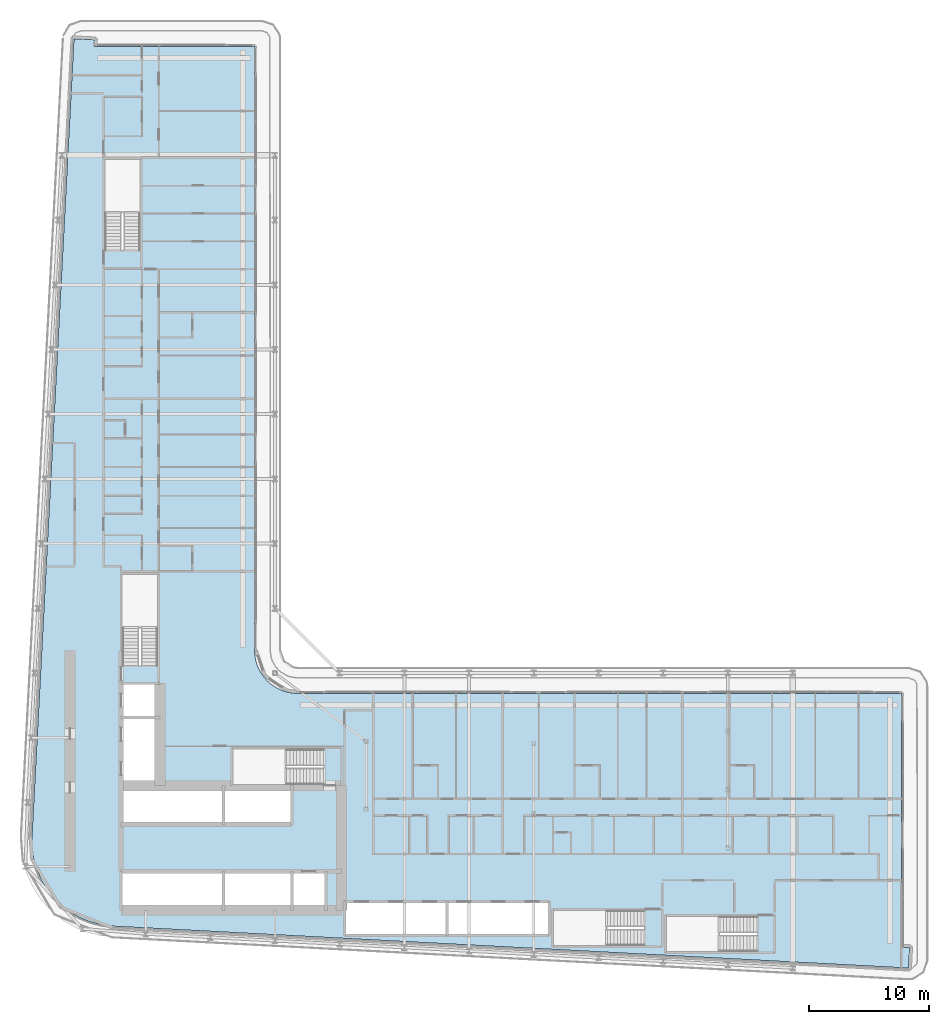
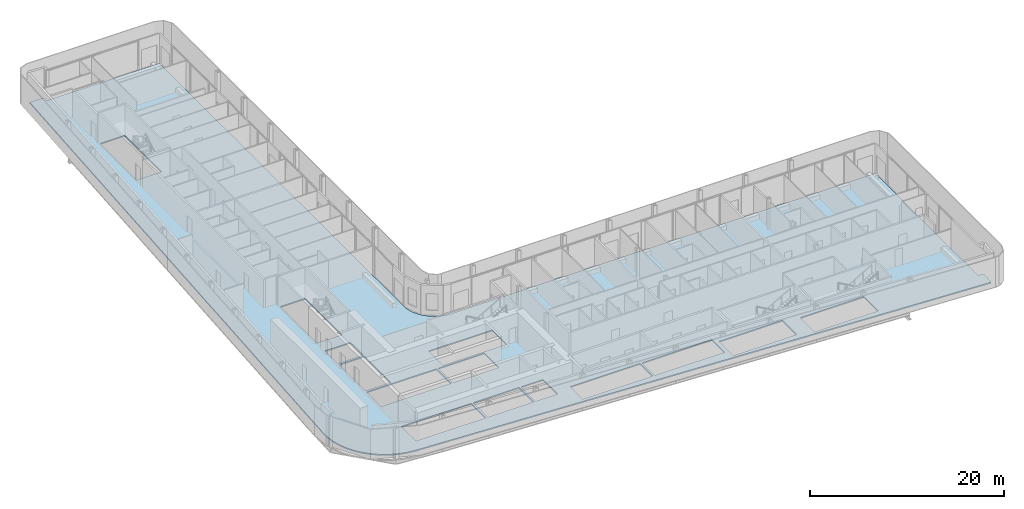
# One storey, part 11 of 29: 1 slab.
"""IFC4 building model written with IfcOpenShell, lengths in metres."""

import ifcopenshell
import ifcopenshell.guid

model = None  # the IFC model being written
_history = None  # IfcOwnerHistory: only IFC2X3 demands one
_inside = {}  # id of a spatial element -> (the spatial element, [elements in it])
_under = {}  # id of a project, library or spatial element -> (it, [spatial elements below it])
_declared = {}  # id of a project -> (the project, [libraries it declares])
_typed = {}  # id of a type object -> (the type object, [elements of that type])
_made_of = {}  # id of a material, layer set ... -> (it, [elements and type objects made of it])


def new_model(schema):
    """Start an empty IFC model of exactly this schema.

    Asked for "IFC4X3", IfcOpenShell would pick the latest addendum, in which some entities
    have other attributes; the version numbers below select the first issue.
    IFC2X3 requires an IfcOwnerHistory on every rooted entity: one is made here for all.
    """
    global model, _history
    if schema == "IFC4X3":
        model = ifcopenshell.file(schema_version=(4, 3, 0, 0))
    else:
        model = ifcopenshell.file(schema=schema)
    _inside.clear()
    _under.clear()
    _declared.clear()
    _typed.clear()
    _made_of.clear()
    _history = None
    if model.schema == "IFC2X3":
        org = make("IfcOrganization", Name="unknown")
        user = make(
            "IfcPersonAndOrganization",
            ThePerson=make("IfcPerson", FamilyName="unknown"),
            TheOrganization=org,
        )
        app = make(
            "IfcApplication",
            ApplicationDeveloper=org,
            Version="unknown",
            ApplicationFullName="unknown",
            ApplicationIdentifier="unknown",
        )
        _history = make(
            "IfcOwnerHistory",
            OwningUser=user,
            OwningApplication=app,
            ChangeAction="ADDED",
            CreationDate=0,
        )
    return model


def make(cls, **values):
    """One entity of the class cls with the attributes given. An attribute that is None is left unset."""
    return model.create_entity(
        cls, **{name: value for name, value in values.items() if value is not None}
    )


def rooted(cls, **values):
    """An entity with a GlobalId (a new one), such as an element, a storey or a relation."""
    return make(cls, GlobalId=ifcopenshell.guid.new(), OwnerHistory=_history, **values)


def si_unit(unit_type, name, prefix=None):
    """IfcSIUnit, for example si_unit("LENGTHUNIT", "METRE", prefix="MILLI")."""
    return make("IfcSIUnit", UnitType=unit_type, Prefix=prefix, Name=name)


def assignment(units):
    """IfcUnitAssignment: the units of a project."""
    return None if units is None else make("IfcUnitAssignment", Units=units)


def point(xyz):
    """IfcCartesianPoint."""
    return None if xyz is None else make("IfcCartesianPoint", Coordinates=xyz)


def direction(xyz):
    """IfcDirection."""
    return None if xyz is None else make("IfcDirection", DirectionRatios=xyz)


def frame(location, z_axis=None, x_axis=None):
    """IfcAxis2Placement3D, a coordinate frame: its origin and axes. An axis left out is left unset."""
    return make(
        "IfcAxis2Placement3D",
        Location=point(location),
        Axis=direction(z_axis),
        RefDirection=direction(x_axis),
    )


def origin():
    """The frame at (0, 0, 0) with its axes left unset."""
    return frame((0.0, 0.0, 0.0))


def place(relative_to, where):
    """IfcLocalPlacement: puts the frame where relative to a parent placement (None: the world)."""
    return make(
        "IfcLocalPlacement", PlacementRelTo=relative_to, RelativePlacement=where
    )


def context(
    kind, dimensions, precision=None, world=None, true_north=None, identifier=None
):
    """IfcGeometricRepresentationContext, for example the 3D "Model" context."""
    return make(
        "IfcGeometricRepresentationContext",
        ContextIdentifier=identifier,
        ContextType=kind,
        CoordinateSpaceDimension=dimensions,
        Precision=precision,
        WorldCoordinateSystem=world,
        TrueNorth=true_north,
    )


def subcontext(parent, identifier, kind, view, scale=None):
    """IfcGeometricRepresentationSubContext, for example "Body" below "Model"."""
    return make(
        "IfcGeometricRepresentationSubContext",
        ContextIdentifier=identifier,
        ContextType=kind,
        ParentContext=parent,
        TargetScale=scale,
        TargetView=view,
    )


def project(units=None, contexts=None):
    """IfcProject with its units and contexts."""
    return rooted(
        "IfcProject",
        Name="project",
        RepresentationContexts=contexts,
        UnitsInContext=assignment(units),
    )


def spatial(cls, under=None, at=None, **own):
    """A site, building, storey or space (cls), placed at a placement, below another one or the project."""
    s = rooted(cls, ObjectPlacement=at, **own)
    if under is not None:
        _under.setdefault(under.id(), (under, []))[1].append(s)
    return s


def polyline(points):
    """IfcPolyline through the points."""
    return make("IfcPolyline", Points=[point(p) for p in points])


def outline(outer, holes=None, kind="AREA"):
    """IfcArbitraryClosedProfileDef: a profile drawn as a closed curve; with holes, ...WithVoids."""
    if holes is None:
        return make("IfcArbitraryClosedProfileDef", ProfileType=kind, OuterCurve=outer)
    return make(
        "IfcArbitraryProfileDefWithVoids",
        ProfileType=kind,
        OuterCurve=outer,
        InnerCurves=holes,
    )


def extrude(swept, where, along, depth):
    """IfcExtrudedAreaSolid: the profile swept, set in the frame where, extruded along a direction by depth."""
    return make(
        "IfcExtrudedAreaSolid",
        SweptArea=swept,
        Position=where,
        ExtrudedDirection=direction(along),
        Depth=depth,
    )


def shape(context_of_items, identifier, shape_type, items):
    """IfcShapeRepresentation: the items that make up one representation, for example the "Body"."""
    return make(
        "IfcShapeRepresentation",
        ContextOfItems=context_of_items,
        RepresentationIdentifier=identifier,
        RepresentationType=shape_type,
        Items=items,
    )


def material(Name=None, Category=None):
    """IfcMaterial."""
    return make("IfcMaterial", Name=Name, Category=Category)


def layer(
    of_material, thickness, ventilated=None, Name=None, Category=None, Priority=None
):
    """IfcMaterialLayer: one layer of a wall or slab, of a material (None: an air gap)."""
    return make(
        "IfcMaterialLayer",
        Material=of_material,
        LayerThickness=thickness,
        IsVentilated=ventilated,
        Name=Name,
        Category=Category,
        Priority=Priority,
    )


def layer_set(layers, Name=None):
    """IfcMaterialLayerSet."""
    return make("IfcMaterialLayerSet", MaterialLayers=layers, LayerSetName=Name)


def made_of(thing, what):
    """Note that an element or type object is made of a material, layer set ...; save() writes the relation."""
    if what is not None:
        _made_of.setdefault(what.id(), (what, []))[1].append(thing)
    return thing


def type_object(cls, material=None, **own):
    """A type object (cls), such as IfcWallType, which elements share."""
    return made_of(rooted(cls, **own), material)


def element(
    cls,
    number,
    at=None,
    inside=None,
    cuts=None,
    type_object=None,
    material=None,
    context=None,
    identifier="Body",
    shape_type=None,
    held_by="IfcProductDefinitionShape",
    body=None,
    shapes=None,
    **own,
):
    """One element of the class cls, such as IfcWall. Its Tag is "e" and its number.

    at: its placement. inside: the storey or other place that contains it. cuts: it is an
    opening in that element (IfcRelVoidsElement). A single representation is given by context,
    identifier, shape_type and body (its items); several are given by shapes. held_by: the class
    of the entity that holds the representations. save() writes the other relations.
    """
    e = rooted(cls, Tag="e%d" % number, ObjectPlacement=at, **own)
    if body is not None:
        shapes = [shape(context, identifier, shape_type, body)]
    if shapes is not None:
        e.Representation = make(held_by, Representations=shapes)
    if inside is not None:
        _inside.setdefault(inside.id(), (inside, []))[1].append(e)
    if cuts is not None:
        rooted(
            "IfcRelVoidsElement", RelatingBuildingElement=cuts, RelatedOpeningElement=e
        )
    if type_object is not None:
        _typed.setdefault(type_object.id(), (type_object, []))[1].append(e)
    return made_of(e, material)


def aggregate(whole, parts):
    """IfcRelAggregates: a whole, such as a stair, and the parts it consists of."""
    return rooted("IfcRelAggregates", RelatingObject=whole, RelatedObjects=parts)


def save(model, path):
    """Write the relations noted so far, then the file.

    IfcRelAggregates (storeys below a building ...), IfcRelContainedInSpatialStructure (elements
    in a storey), IfcRelDefinesByType, IfcRelAssociatesMaterial and IfcRelDeclares: one each for
    every whole, place, type object, material and project.
    """
    for whole, parts in _under.values():
        aggregate(whole, parts)
    for where, things in _inside.values():
        rooted(
            "IfcRelContainedInSpatialStructure",
            RelatedElements=things,
            RelatingStructure=where,
        )
    for kind, things in _typed.values():
        rooted("IfcRelDefinesByType", RelatedObjects=things, RelatingType=kind)
    for what, things in _made_of.values():
        rooted("IfcRelAssociatesMaterial", RelatedObjects=things, RelatingMaterial=what)
    for by, libraries in _declared.values():
        rooted("IfcRelDeclares", RelatingContext=by, RelatedDefinitions=libraries)
    model.write(path)


model = new_model("IFC4")

# Units and contexts
model_context = context("Model", 3, precision=1e-05, world=origin(), true_north=direction((0.0, 1.0)))
body_context = subcontext(model_context, "Body", "Model", "MODEL_VIEW")
ifc_project = project(units=[si_unit("LENGTHUNIT", "METRE"), si_unit("AREAUNIT", "SQUARE_METRE"), si_unit("VOLUMEUNIT", "CUBIC_METRE"), si_unit("PLANEANGLEUNIT", "RADIAN"), si_unit("MASSUNIT", "GRAM", prefix="KILO")], contexts=[model_context])

# Site, building, storey
site_placement = place(None, origin())
site = spatial("IfcSite", under=ifc_project, at=site_placement, CompositionType="ELEMENT")
building_placement = place(site_placement, origin())
building = spatial("IfcBuilding", under=site, at=building_placement, Name="Kheshtan School and Residences Tower", CompositionType="ELEMENT")
storey_placement = place(building_placement, frame((0.0, 0.0, 121.39990234375)))
storey = spatial("IfcBuildingStorey", under=building, at=storey_placement, Name="L28", CompositionType="ELEMENT", Elevation=121.39990234375)

# Slab
ifc_material = material(Name="Concrete C40/50", Category="concrete")
ifc_layer = layer(ifc_material, 0.14990234375)
ifc_layer_set = layer_set([ifc_layer], Name="Floor slab 150 Concrete C40/50")
slab_type = type_object("IfcSlabType", Name="Floor slab 150 Concrete C40/50", PredefinedType="FLOOR", material=ifc_layer_set)
slab_placement = place(storey_placement, frame((0.0, 0.0, -0.14990234375)))
element("IfcSlab", 1, at=slab_placement, inside=storey, type_object=slab_type, Name="Floor slab L28", PredefinedType="FLOOR", context=body_context, shape_type="SweptSolid", body=[
    extrude(outline(polyline([(27.718017578125, 29.200927734375), (27.466064453125, 30.093017578125), (27.466064453125, 30.093994140625), (27.3330078125, 31.013916015625), (27.320068359375, 31.965087890625), (27.320068359375, 31.970947265625), (30.822021484375, 98.5009765625), (30.822998046875, 98.508056640625), (30.825927734375, 98.531005859375), (30.825927734375, 98.531982421875), (30.826904296875, 98.531982421875), (31.422119140625, 98.5), (31.423095703125, 98.5), (31.423095703125, 98.4990234375), (31.423095703125, 98.4951171875), (31.423095703125, 98.493896484375), (31.424072265625, 98.493896484375), (31.424072265625, 98.492919921875), (31.425048828125, 98.492919921875), (31.426025390625, 98.492919921875), (31.426025390625, 98.493896484375), (31.427978515625, 98.49609375), (31.428955078125, 98.4970703125), (31.429931640625, 98.498046875), (31.430908203125, 98.498046875), (31.430908203125, 98.4990234375), (31.431884765625, 98.4990234375), (31.431884765625, 98.5), (31.43505859375, 98.5009765625), (31.43603515625, 98.501953125), (31.43896484375, 98.501953125), (31.43994140625, 98.501953125), (31.43994140625, 98.5029296875), (31.44091796875, 98.5029296875), (31.446044921875, 98.5029296875), (32.5009765625, 98.447021484375), (32.50390625, 98.447021484375), (32.5048828125, 98.447021484375), (32.5048828125, 98.446044921875), (32.506103515625, 98.446044921875), (32.510009765625, 98.446044921875), (32.510009765625, 98.445068359375), (32.510986328125, 98.445068359375), (32.510986328125, 98.444091796875), (32.511962890625, 98.444091796875), (32.511962890625, 98.443115234375), (32.512939453125, 98.443115234375), (32.513916015625, 98.443115234375), (32.513916015625, 98.44189453125), (32.514892578125, 98.44189453125), (32.51611328125, 98.44189453125), (32.51904296875, 98.43896484375), (32.51904296875, 98.43798828125), (32.51904296875, 98.43701171875), (32.52001953125, 98.43701171875), (32.52001953125, 98.43603515625), (32.52099609375, 98.43603515625), (32.52099609375, 98.43408203125), (32.52099609375, 98.43310546875), (32.52197265625, 98.43310546875), (32.52197265625, 98.431884765625), (32.52294921875, 98.431884765625), (32.52294921875, 98.430908203125), (32.52294921875, 98.428955078125), (32.52294921875, 98.427978515625), (32.52392578125, 98.427978515625), (32.52392578125, 98.427001953125), (32.52392578125, 98.422119140625), (32.4970703125, 97.9208984375), (32.4970703125, 97.91796875), (32.4970703125, 97.9169921875), (32.49609375, 97.9169921875), (32.49609375, 97.916015625), (32.49609375, 97.912109375), (32.4951171875, 97.910888671875), (32.4951171875, 97.909912109375), (32.493896484375, 97.909912109375), (32.493896484375, 97.908935546875), (32.492919921875, 97.908935546875), (32.492919921875, 97.907958984375), (32.489013671875, 97.904052734375), (32.488037109375, 97.904052734375), (32.488037109375, 97.903076171875), (32.488037109375, 97.902099609375), (32.488037109375, 97.90087890625), (32.489013671875, 97.90087890625), (32.489013671875, 97.89990234375), (32.489990234375, 97.89990234375), (45.85498046875, 97.89990234375), (45.864990234375, 97.89794921875), (45.865966796875, 97.89794921875), (45.868896484375, 97.89599609375), (45.8740234375, 97.89404296875), (45.8779296875, 97.89208984375), (45.881103515625, 97.889892578125), (45.881103515625, 97.888916015625), (45.882080078125, 97.888916015625), (45.882080078125, 97.887939453125), (45.883056640625, 97.887939453125), (45.884033203125, 97.885009765625), (45.885009765625, 97.885009765625), (45.885009765625, 97.884033203125), (45.887939453125, 97.883056640625), (45.887939453125, 97.882080078125), (45.888916015625, 97.882080078125), (45.888916015625, 97.881103515625), (45.889892578125, 97.881103515625), (45.89208984375, 97.8779296875), (45.89404296875, 97.8740234375), (45.89599609375, 97.868896484375), (45.89794921875, 97.865966796875), (45.89794921875, 97.864990234375), (45.89990234375, 97.85498046875), (45.89990234375, 47.429931640625), (45.927001953125, 47.030029296875), (46.01806640625, 46.570068359375), (46.01806640625, 46.569091796875), (46.169921875, 46.1201171875), (46.37890625, 45.697021484375), (46.638916015625, 45.30810546875), (46.949951171875, 44.950927734375), (46.950927734375, 44.949951171875), (47.30810546875, 44.638916015625), (47.697021484375, 44.37890625), (48.1201171875, 44.169921875), (48.569091796875, 44.01806640625), (48.570068359375, 44.01806640625), (49.030029296875, 43.927001953125), (49.429931640625, 43.89990234375), (99.85498046875, 43.89990234375), (99.864990234375, 43.89794921875), (99.865966796875, 43.89794921875), (99.868896484375, 43.89599609375), (99.8740234375, 43.89404296875), (99.8779296875, 43.89208984375), (99.881103515625, 43.889892578125), (99.881103515625, 43.888916015625), (99.882080078125, 43.888916015625), (99.882080078125, 43.887939453125), (99.883056640625, 43.887939453125), (99.884033203125, 43.885009765625), (99.885009765625, 43.885009765625), (99.885009765625, 43.884033203125), (99.887939453125, 43.883056640625), (99.887939453125, 43.882080078125), (99.888916015625, 43.882080078125), (99.888916015625, 43.881103515625), (99.889892578125, 43.881103515625), (99.89208984375, 43.8779296875), (99.89404296875, 43.8740234375), (99.89599609375, 43.868896484375), (99.89794921875, 43.865966796875), (99.89794921875, 43.864990234375), (99.89990234375, 43.85498046875), (99.89990234375, 22.708984375), (99.89990234375, 22.7080078125), (99.90087890625, 22.7080078125), (99.90087890625, 22.70703125), (99.902099609375, 22.70703125), (99.903076171875, 22.70703125), (99.903076171875, 22.7080078125), (99.905029296875, 22.7099609375), (99.906982421875, 22.7119140625), (99.907958984375, 22.7119140625), (99.907958984375, 22.712890625), (99.908935546875, 22.712890625), (99.908935546875, 22.714111328125), (99.909912109375, 22.714111328125), (99.912109375, 22.715087890625), (99.9130859375, 22.716064453125), (99.916015625, 22.716064453125), (99.9169921875, 22.716064453125), (99.9169921875, 22.717041015625), (99.91796875, 22.717041015625), (99.923095703125, 22.717041015625), (100.5380859375, 22.68408203125), (100.541015625, 22.68408203125), (100.5419921875, 22.68408203125), (100.5419921875, 22.68310546875), (100.54296875, 22.68310546875), (100.547119140625, 22.68310546875), (100.547119140625, 22.681884765625), (100.548095703125, 22.681884765625), (100.548095703125, 22.680908203125), (100.549072265625, 22.680908203125), (100.549072265625, 22.679931640625), (100.550048828125, 22.679931640625), (100.551025390625, 22.679931640625), (100.551025390625, 22.678955078125), (100.552001953125, 22.678955078125), (100.552978515625, 22.678955078125), (100.552978515625, 22.677978515625), (100.554931640625, 22.676025390625), (100.555908203125, 22.676025390625), (100.555908203125, 22.675048828125), (100.555908203125, 22.674072265625), (100.556884765625, 22.674072265625), (100.556884765625, 22.673095703125), (100.55810546875, 22.673095703125), (100.55810546875, 22.6708984375), (100.55810546875, 22.669921875), (100.55908203125, 22.669921875), (100.55908203125, 22.6689453125), (100.56005859375, 22.6689453125), (100.56005859375, 22.66796875), (100.56005859375, 22.666015625), (100.56005859375, 22.6650390625), (100.56103515625, 22.6650390625), (100.56103515625, 22.6640625), (100.56103515625, 22.658935546875), (100.5048828125, 21.60205078125), (100.5048828125, 21.59912109375), (100.5048828125, 21.597900390625), (100.50390625, 21.597900390625), (100.50390625, 21.596923828125), (100.50390625, 21.593017578125), (100.5029296875, 21.592041015625), (100.5029296875, 21.591064453125), (100.501953125, 21.591064453125), (100.501953125, 21.590087890625), (100.5009765625, 21.590087890625), (100.5009765625, 21.589111328125), (100.5, 21.587890625), (100.498046875, 21.5859375), (100.4970703125, 21.5849609375), (100.49609375, 21.5849609375), (100.49609375, 21.583984375), (100.49609375, 21.5830078125), (100.49609375, 21.58203125), (100.4970703125, 21.58203125), (100.4970703125, 21.5810546875), (100.498046875, 21.5810546875), (100.4990234375, 21.5810546875), (100.5, 21.5810546875), (100.5, 21.580078125), (100.468017578125, 20.985107421875), (100.468017578125, 20.98388671875), (100.467041015625, 20.98388671875), (100.443115234375, 20.98291015625), (100.43798828125, 20.98291015625), (34.056884765625, 24.47802734375), (33.114990234375, 24.590087890625), (32.215087890625, 24.819091796875), (32.214111328125, 24.819091796875), (31.35205078125, 25.1630859375), (30.541015625, 25.616943359375), (29.799072265625, 26.1708984375), (29.799072265625, 26.172119140625), (29.798095703125, 26.172119140625), (29.134033203125, 26.820068359375), (29.134033203125, 26.821044921875), (29.133056640625, 26.821044921875), (28.55908203125, 27.550048828125), (28.0849609375, 28.345947265625), (27.718017578125, 29.200927734375)]), holes=[polyline([(99.89990234375, 21.5869140625), (99.89990234375, 21.5830078125), (99.89990234375, 21.58203125), (99.90087890625, 21.58203125), (99.90087890625, 21.5810546875), (99.902099609375, 21.5810546875), (99.906005859375, 21.5810546875), (99.906982421875, 21.5810546875), (99.906982421875, 21.58203125), (99.907958984375, 21.58203125), (99.907958984375, 21.5830078125), (99.907958984375, 21.583984375), (99.906982421875, 21.583984375), (99.905029296875, 21.5859375), (99.904052734375, 21.5869140625), (99.903076171875, 21.587890625), (99.903076171875, 21.589111328125), (99.902099609375, 21.589111328125), (99.90087890625, 21.589111328125), (99.90087890625, 21.587890625), (99.89990234375, 21.587890625), (99.89990234375, 21.5869140625)]), polyline([(31.423095703125, 97.906005859375), (31.423095703125, 97.902099609375), (31.423095703125, 97.90087890625), (31.424072265625, 97.90087890625), (31.424072265625, 97.89990234375), (31.425048828125, 97.89990234375), (31.428955078125, 97.89990234375), (31.429931640625, 97.89990234375), (31.429931640625, 97.90087890625), (31.430908203125, 97.90087890625), (31.430908203125, 97.902099609375), (31.430908203125, 97.903076171875), (31.429931640625, 97.903076171875), (31.428955078125, 97.904052734375), (31.427978515625, 97.905029296875), (31.427001953125, 97.906005859375), (31.426025390625, 97.906982421875), (31.426025390625, 97.907958984375), (31.425048828125, 97.907958984375), (31.424072265625, 97.907958984375), (31.424072265625, 97.906982421875), (31.423095703125, 97.906982421875), (31.423095703125, 97.906005859375)]), polyline([(34.875, 28.925048828125), (34.875, 25.925048828125), (43.175048828125, 25.925048828125), (43.175048828125, 28.925048828125), (34.875, 28.925048828125)]), polyline([(43.425048828125, 25.925048828125), (48.875, 25.925048828125), (48.875, 28.925048828125), (43.425048828125, 28.925048828125), (43.425048828125, 25.925048828125)]), polyline([(43.175048828125, 36.074951171875), (34.875, 36.074951171875), (34.875, 33.074951171875), (43.175048828125, 33.074951171875), (43.175048828125, 36.074951171875)]), polyline([(34.875, 41.77490234375), (34.875, 36.324951171875), (37.875, 36.324951171875), (37.875, 41.77490234375), (34.875, 41.77490234375)]), polyline([(34.875, 44.625), (34.875, 42.02490234375), (37.875, 42.02490234375), (37.875, 44.625), (34.875, 44.625)]), polyline([(37.800048828125, 46.25), (37.800048828125, 53.81005859375), (34.85009765625, 53.81005859375), (34.85009765625, 46.260009765625), (36.25, 46.260009765625), (36.25, 46.25), (37.800048828125, 46.25)]), polyline([(33.39990234375, 88.4599609375), (33.39990234375, 80.909912109375), (34.800048828125, 80.909912109375), (34.800048828125, 80.89990234375), (36.35009765625, 80.89990234375), (36.35009765625, 88.4599609375), (33.39990234375, 88.4599609375)]), polyline([(87.81005859375, 22.35009765625), (87.81005859375, 23.75), (87.820068359375, 23.75), (87.820068359375, 25.300048828125), (80.260009765625, 25.300048828125), (80.260009765625, 22.35009765625), (87.81005859375, 22.35009765625)]), polyline([(70.85009765625, 22.85009765625), (78.39990234375, 22.85009765625), (78.39990234375, 24.25), (78.409912109375, 24.25), (78.409912109375, 25.800048828125), (70.85009765625, 25.800048828125), (70.85009765625, 22.85009765625)]), polyline([(61.824951171875, 26.425048828125), (53.52490234375, 26.425048828125), (53.52490234375, 23.824951171875), (61.824951171875, 23.824951171875), (61.824951171875, 26.425048828125)]), polyline([(62.074951171875, 23.824951171875), (70.375, 23.824951171875), (70.375, 26.425048828125), (62.074951171875, 26.425048828125), (62.074951171875, 23.824951171875)]), polyline([(49.125, 28.925048828125), (49.125, 25.925048828125), (51.72509765625, 25.925048828125), (51.72509765625, 28.925048828125), (49.125, 28.925048828125)]), polyline([(43.425048828125, 33.074951171875), (48.875, 33.074951171875), (48.875, 36.074951171875), (43.425048828125, 36.074951171875), (43.425048828125, 33.074951171875)]), polyline([(51.64990234375, 39.25), (44.090087890625, 39.25), (44.090087890625, 36.300048828125), (51.639892578125, 36.300048828125), (51.639892578125, 37.699951171875), (51.64990234375, 37.699951171875), (51.64990234375, 39.25)])]), origin(), (0.0, 0.0, 1.0), 0.14990234375),
])

save(model, "model.ifc")
